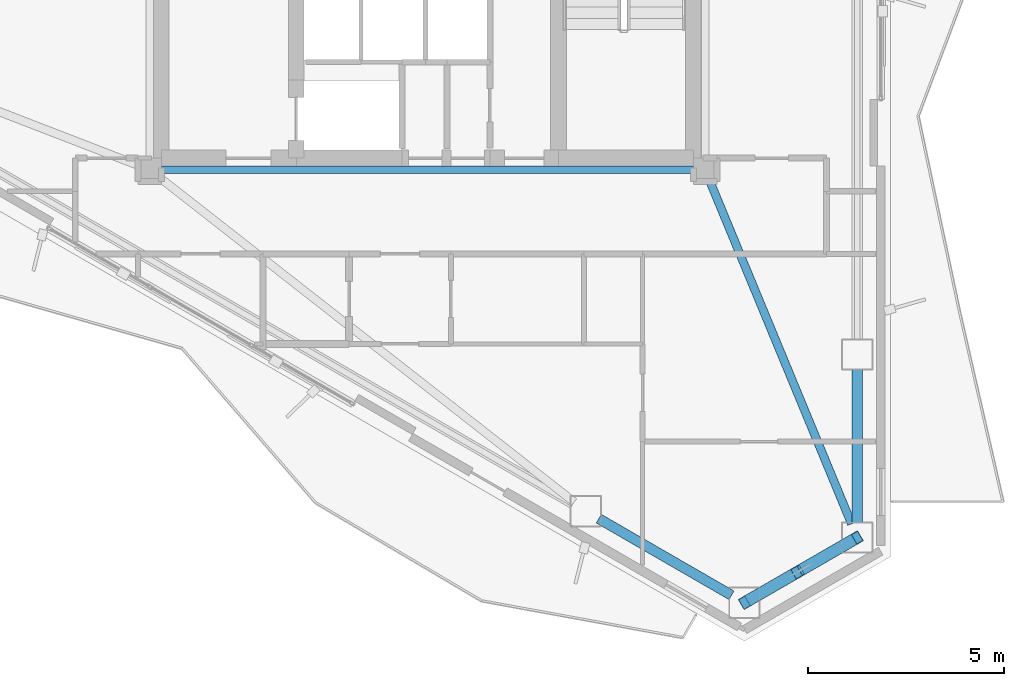
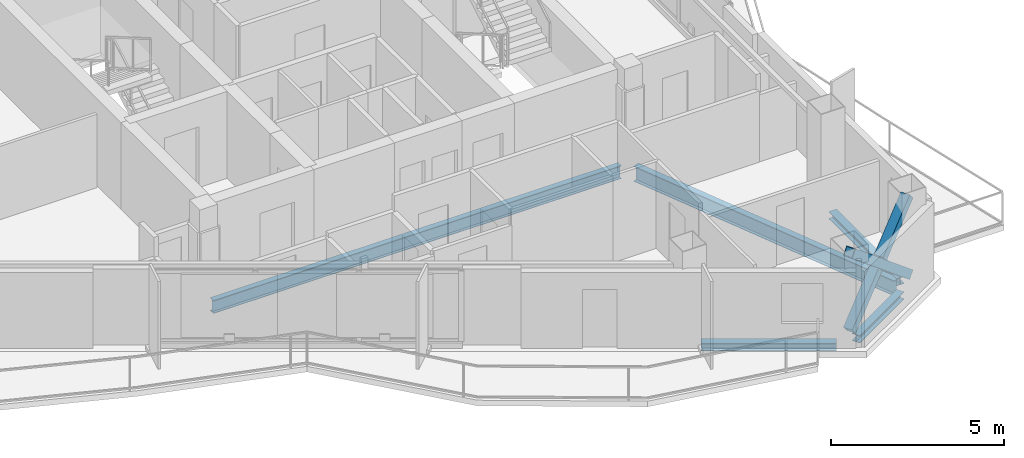
# One storey, part 5 of 22: 5 beams, 3 members.
"""IFC4 building model written with IfcOpenShell, lengths in metres."""

from ifc_helpers import new_model, si_unit, direction, frame, origin, origin_2d, place, context, subcontext, project, spatial, hollow_rectangle, i_section, extrude, material, material_profile, profile_set, type_object, element, save


model = new_model("IFC4")

# Units and contexts
model_context = context("Model", 3, precision=1e-05, world=origin(), true_north=direction((0.0, 1.0)))
body_context = subcontext(model_context, "Body", "Model", "MODEL_VIEW")
ifc_project = project(units=[si_unit("LENGTHUNIT", "METRE"), si_unit("AREAUNIT", "SQUARE_METRE"), si_unit("VOLUMEUNIT", "CUBIC_METRE"), si_unit("PLANEANGLEUNIT", "RADIAN"), si_unit("MASSUNIT", "GRAM", prefix="KILO")], contexts=[model_context])

# Site, building, storey
site_placement = place(None, origin())
site = spatial("IfcSite", under=ifc_project, at=site_placement, CompositionType="ELEMENT")
building_placement = place(site_placement, origin())
building = spatial("IfcBuilding", under=site, at=building_placement, Name="Mersakhor Tower and Convention Hall", CompositionType="ELEMENT")
storey_placement = place(building_placement, frame((0.0, 0.0, 205.199951171875)))
storey = spatial("IfcBuildingStorey", under=building, at=storey_placement, Name="L57", CompositionType="ELEMENT", Elevation=205.199951171875)

# Beams
ifc_material_1 = material(Name="Steel S355", Category="steel")
ifc_material_profile_1 = material_profile(ifc_material_1, i_section(OverallWidth=0.19140625, OverallDepth=0.4599609375, WebThickness=0.010009765625, FlangeThickness=0.01611328125, at=origin_2d()), Name="UB 457x191x82")
ifc_profile_set_1 = profile_set([ifc_material_profile_1], Name="Steel S355")
beam_type_1 = type_object("IfcBeamType", Name="BM-FB-457", PredefinedType="BEAM", material=ifc_profile_set_1)
beam_1_placement = place(storey_placement, frame((35.820068359375, 20.449951171875, -0.4599609375), z_axis=(-1.0, 0.0, 0.0), x_axis=(0.0, -1.0, 0.0)))
element("IfcBeam", 1, at=beam_1_placement, inside=storey, type_object=beam_type_1, Name="L57 Core Ring Tie Beam CRB-4", PredefinedType="BEAM", context=body_context, shape_type="SweptSolid", body=[
    extrude(i_section(OverallWidth=0.19140625, OverallDepth=0.4599609375, WebThickness=0.010009765625, FlangeThickness=0.01611328125, at=origin_2d()), origin(), (0.0, 0.0, 1.0), 13.64013671875),
])
ifc_material_2 = material(Name="Steel S355", Category="steel")
ifc_material_profile_2 = material_profile(ifc_material_2, i_section(OverallWidth=0.2099609375, OverallDepth=0.53662109375, WebThickness=0.0107421875, FlangeThickness=0.017333984375, at=origin_2d()), Name="UB 533x210x101")
ifc_profile_set_2 = profile_set([ifc_material_profile_2], Name="Steel S355")
beam_type_2 = type_object("IfcBeamType", Name="BM-FB-533", PredefinedType="BEAM", material=ifc_profile_set_2)
beam_2_placement = place(storey_placement, frame((36.20703125, 20.19140625, -0.498291015625), z_axis=(0.382178028302, -0.924088715808, 0.0), x_axis=(0.924088715808, 0.382178028302, 0.0)))
element("IfcBeam", 2, at=beam_2_placement, inside=storey, type_object=beam_type_2, Name="L57 Primary Floor Girder FG-4", PredefinedType="BEAM", context=body_context, shape_type="SweptSolid", body=[
    extrude(i_section(OverallWidth=0.2099609375, OverallDepth=0.53662109375, WebThickness=0.0107421875, FlangeThickness=0.017333984375, at=origin_2d()), origin(), (0.0, 0.0, 1.0), 9.514404296875),
])
ifc_material_3 = material(Name="Steel S355", Category="steel")
ifc_material_profile_3 = material_profile(ifc_material_3, i_section(OverallWidth=0.25634765625, OverallDepth=0.26025390625, WebThickness=0.01025390625, FlangeThickness=0.017333984375, at=origin_2d()), Name="UC 254x254x89")
ifc_profile_set_3 = profile_set([ifc_material_profile_3], Name="Steel S355")
beam_type_3 = type_object("IfcBeamType", Name="BM-SPD-UC254", PredefinedType="SPANDREL", material=ifc_profile_set_3)
beam_3_placement = place(storey_placement, frame((39.98828125, 15.34716796875, -0.360107421875), z_axis=(0.0, -1.0, 0.0), x_axis=(1.0, 0.0, 0.0)))
element("IfcBeam", 3, at=beam_3_placement, inside=storey, type_object=beam_type_3, Name="L57 Perimeter Spandrel Beam SPB-07", PredefinedType="SPANDREL", context=body_context, shape_type="SweptSolid", body=[
    extrude(i_section(OverallWidth=0.25634765625, OverallDepth=0.26025390625, WebThickness=0.01025390625, FlangeThickness=0.017333984375, at=origin_2d()), origin(), (0.0, 0.0, 1.0), 3.919189453125),
])
beam_4_placement = place(storey_placement, frame((39.6591796875, 10.85791015625, -0.360107421875), z_axis=(-0.866036909293, -0.499980071345, 0.0), x_axis=(0.499980071345, -0.866036909293, 0.0)))
element("IfcBeam", 4, at=beam_4_placement, inside=storey, type_object=beam_type_3, Name="L57 Perimeter Spandrel Beam SPB-08", PredefinedType="SPANDREL", context=body_context, shape_type="SweptSolid", body=[
    extrude(i_section(OverallWidth=0.25634765625, OverallDepth=0.26025390625, WebThickness=0.01025390625, FlangeThickness=0.017333984375, at=origin_2d()), origin(), (0.0, 0.0, 1.0), 2.5703125),
])
beam_5_placement = place(storey_placement, frame((36.77490234375, 9.57275390625, -0.360107421875), z_axis=(-0.866007153761, 0.500031608635, 0.0), x_axis=(-0.500031608635, -0.866007153761, 0.0)))
element("IfcBeam", 5, at=beam_5_placement, inside=storey, type_object=beam_type_3, Name="L57 Perimeter Spandrel Beam SPB-09", PredefinedType="SPANDREL", context=body_context, shape_type="SweptSolid", body=[
    extrude(i_section(OverallWidth=0.25634765625, OverallDepth=0.26025390625, WebThickness=0.01025390625, FlangeThickness=0.017333984375, at=origin_2d()), origin(), (0.0, 0.0, 1.0), 3.919189453125),
])

# Members
ifc_material_4 = material(Name="Steel S355", Category="steel")
ifc_material_profile_4 = material_profile(ifc_material_4, hollow_rectangle(XDim=0.300048828125, YDim=0.300048828125, WallThickness=0.01611328125, at=origin_2d()), Name="SHS 300x300x16")
ifc_profile_set_4 = profile_set([ifc_material_profile_4], Name="Steel S355")
member_type = type_object("IfcMemberType", Name="MB-BRC-SHS300", PredefinedType="BRACE", material=ifc_profile_set_4)
member_placement = place(storey_placement, frame((39.98828125, 11.048095703125, 0.150146484375), z_axis=(-0.665824923443, -0.384424564314, 0.639448923429), x_axis=(0.50001011158, -0.866019565782, 0.0)))
element("IfcMember", 6, at=member_placement, inside=storey, type_object=member_type, Name="L57 Chamfer Braced Frame Diagonal CB-2A", PredefinedType="BRACE", context=body_context, shape_type="SweptSolid", body=[
    extrude(hollow_rectangle(XDim=0.300048828125, YDim=0.300048828125, WallThickness=0.01611328125, at=origin_2d()), origin(), (0.0, 0.0, 1.0), 4.331787109375),
])
for number, where, z_axis, x_axis, name in (
    (7, (37.10400390625, 9.3828125, 0.150146484375), (0.665831077073, 0.384475140135, 0.639412107659), (-0.50005597947, 0.86599308161, 0.0), "L57 Chamfer Braced Frame Diagonal CB-2B Lower Half"),
    (8, (38.6533203125, 10.277099609375, 1.6376953125), (0.665711462011, 0.384476371073, 0.639535901599), (-0.500124558158, 0.865953478154, 0.0), "L57 Chamfer Braced Frame Diagonal CB-2B Upper Half"),
):
    element("IfcMember", number, at=place(storey_placement, frame(where, z_axis=z_axis, x_axis=x_axis)), inside=storey, type_object=member_type, Name=name, PredefinedType="BRACE", context=body_context, shape_type="SweptSolid", body=[
        extrude(hollow_rectangle(XDim=0.300048828125, YDim=0.300048828125, WallThickness=0.01611328125, at=origin_2d()), origin(), (0.0, 0.0, 1.0), 2.00537109375),
    ])

save(model, "model.ifc")
